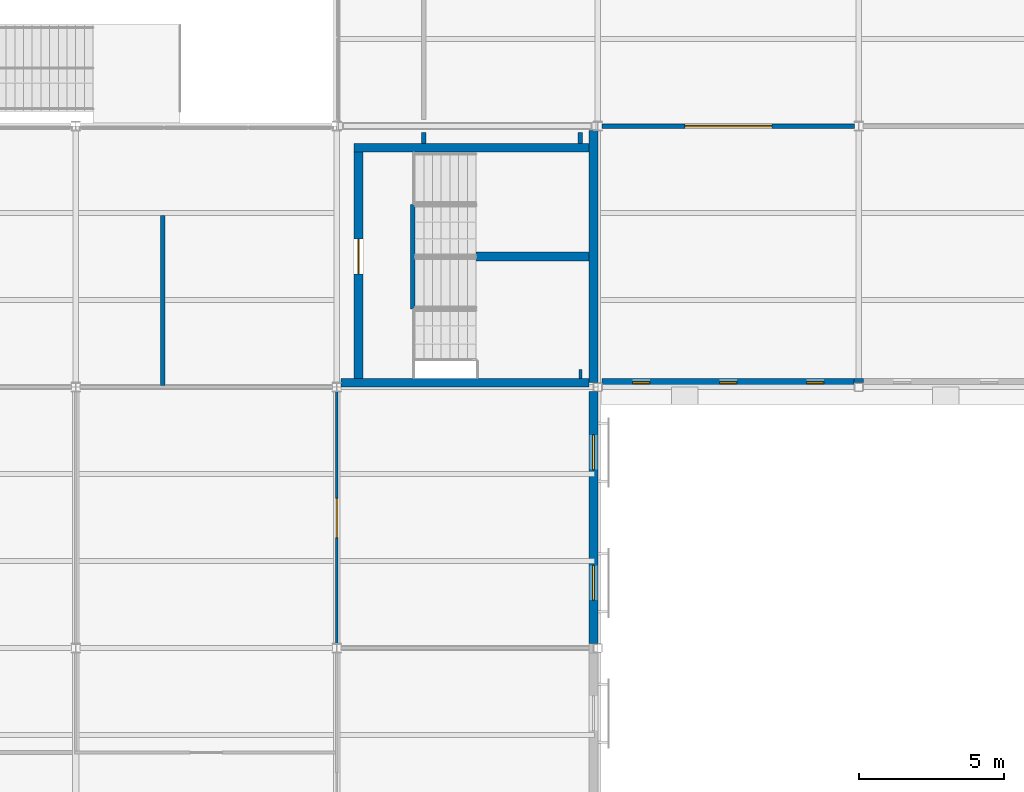
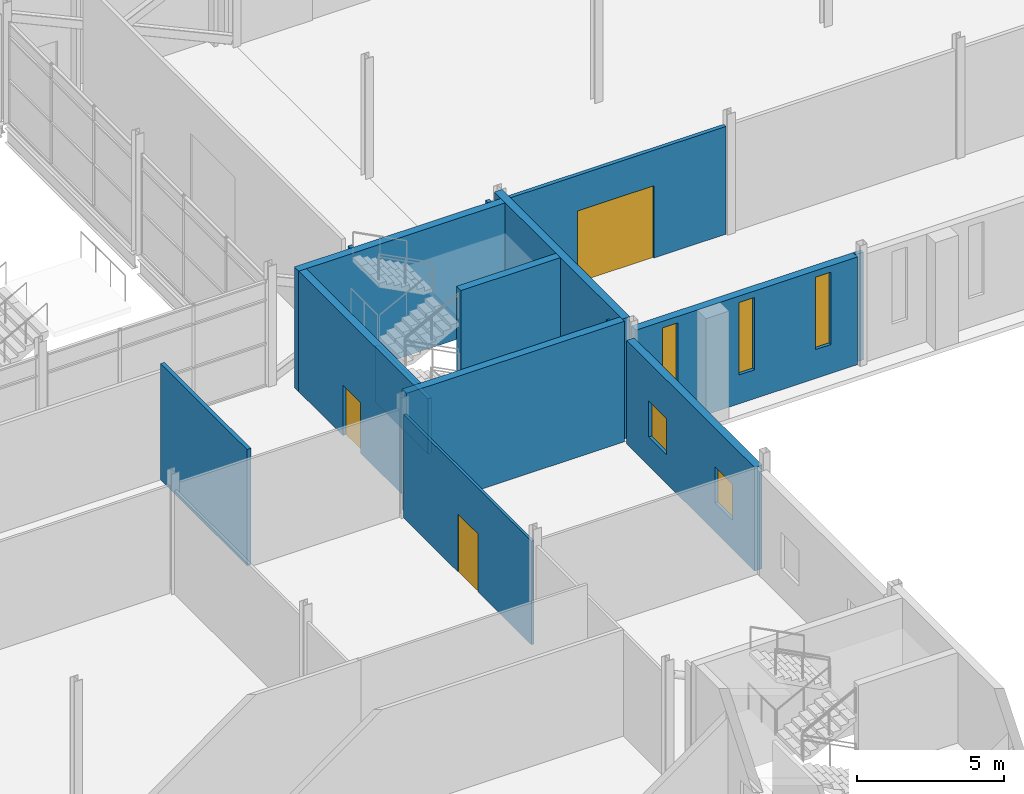
# One storey, part 81 of 112: 15 walls, 5 windows, 3 doors, 8 openings.
"""IFC4 building model written with IfcOpenShell, lengths in metres."""

from ifc_helpers import new_model, si_unit, direction, frame, frame_2d, origin, place, context, subcontext, project, spatial, rectangle, extrude, material, layer, layer_set, type_object, element, fill, save


model = new_model("IFC4")

# Units and contexts
model_context = context("Model", 3, precision=1e-05, world=origin(), true_north=direction((0.0, 1.0)))
body_context = subcontext(model_context, "Body", "Model", "MODEL_VIEW")
ifc_project = project(units=[si_unit("LENGTHUNIT", "METRE"), si_unit("AREAUNIT", "SQUARE_METRE"), si_unit("VOLUMEUNIT", "CUBIC_METRE"), si_unit("PLANEANGLEUNIT", "RADIAN"), si_unit("MASSUNIT", "GRAM", prefix="KILO")], contexts=[model_context])

# Site, building, storey
site_placement = place(None, origin())
site = spatial("IfcSite", under=ifc_project, at=site_placement, CompositionType="ELEMENT")
building_placement = place(site_placement, origin())
building = spatial("IfcBuilding", under=site, at=building_placement, Name="Shorebreak Coast Museum", CompositionType="ELEMENT")
storey_placement = place(building_placement, frame((0.0, 0.0, 6.0)))
storey = spatial("IfcBuildingStorey", under=building, at=storey_placement, Name="L01", CompositionType="ELEMENT", Elevation=6.0)

# Wall
ifc_material_1 = material(Name="Concrete N50 (50 MPa)", Category="concrete")
ifc_layer_1 = layer(ifc_material_1, 0.14990234375)
ifc_layer_set_1 = layer_set([ifc_layer_1], Name="Concrete N50 (50 MPa)")
wall_type_1 = type_object("IfcWallType", Name="Column closure panel 150", PredefinedType="SOLIDWALL", material=ifc_layer_set_1)
wall_1_placement = place(storey_placement, frame((125.839111328125, 54.22509765625, 0.0), z_axis=(0.0, 0.0, 1.0), x_axis=(1.0, 0.0, 0.0)))
element("IfcWall", 1, at=wall_1_placement, inside=storey, type_object=wall_type_1, Name="Column closure panel L01 S 15G", PredefinedType="SOLIDWALL", context=body_context, shape_type="SweptSolid", body=[
    extrude(rectangle(XDim=0.32177734375, YDim=0.14990234375, at=frame_2d((0.160888671875, 0.0))), origin(), (0.0, 0.0, 1.0), 4.469482421875),
])

# Wall, opening, door
ifc_material_2 = material(Name="Plasterboard on steel stud", Category="steel")
ifc_layer_2 = layer(ifc_material_2, 0.14990234375)
ifc_layer_set_2 = layer_set([ifc_layer_2], Name="Plasterboard on steel stud")
wall_type_2 = type_object("IfcWallType", Name="Fire partition 150", PredefinedType="PARTITIONING", material=ifc_layer_set_2)
wall_2_placement = place(storey_placement, frame((117.154541015625, 63.0, 0.0), z_axis=(0.0, 0.0, 1.0), x_axis=(1.0, 0.0, 0.0)))
wall_2 = element("IfcWall", 2, at=wall_2_placement, inside=storey, type_object=wall_type_2, Name="Partition L01-044", PredefinedType="PARTITIONING", context=body_context, shape_type="SweptSolid", body=[
    extrude(rectangle(XDim=8.69091796875, YDim=0.14990234375, at=frame_2d((4.345458984375, 0.0))), origin(), (0.0, 0.0, 1.0), 4.469482421875),
])
opening_1_placement = place(wall_2_placement, frame((2.85009765625, 0.0, 0.0)))
opening_1 = element("IfcOpeningElement", 3, at=opening_1_placement, cuts=wall_2, Name="Opening D1061", PredefinedType="OPENING", context=body_context, shape_type="SweptSolid", body=[
    extrude(rectangle(XDim=3.0, YDim=3.0, at=frame_2d((1.5, 1.5))), frame((0.0, 0.0849609375, 0.0), z_axis=(0.0, -1.0, 0.0), x_axis=(1.0, 0.0, 0.0)), (0.0, 0.0, 1.0), 0.169921875),
])
ifc_material_3 = material(Name="Steel", Category="steel")
door_type_1 = type_object("IfcDoorType", Name="Fire door 3000x3000 60", OperationType="DOUBLE_DOOR_SINGLE_SWING", PredefinedType="DOOR", material=ifc_material_3)
door_1_placement = place(opening_1_placement, origin())
door_1 = element("IfcDoor", 4, at=door_1_placement, inside=storey, type_object=door_type_1, Name="Door D1061 Temporary Gallery 1.02", OperationType="DOUBLE_DOOR_SINGLE_SWING", OverallHeight=3.0, OverallWidth=3.0, PredefinedType="DOOR", context=body_context, shape_type="SweptSolid", body=[
    extrude(rectangle(XDim=3.0, YDim=3.0, at=frame_2d((1.5, 1.5))), frame((0.0, 0.02490234375, 0.0), z_axis=(0.0, -1.0, 0.0), x_axis=(1.0, 0.0, 0.0)), (0.0, 0.0, 1.0), 0.050048828125),
])
fill(opening_1, door_1)

# Walls
wall_3_placement = place(storey_placement, frame((102.0, 54.050048828125, 0.0), z_axis=(0.0, 0.0, 1.0), x_axis=(0.0, 1.0, 0.0)))
element("IfcWall", 5, at=wall_3_placement, inside=storey, type_object=wall_type_2, Name="Partition L01-149", PredefinedType="PARTITIONING", context=body_context, shape_type="SweptSolid", body=[
    extrude(rectangle(XDim=5.875, YDim=0.14990234375, at=frame_2d((2.9375, 0.0))), origin(), (0.0, 0.0, 1.0), 4.824951171875),
])
for number, where, z_axis, x_axis, name in (
    (6, (111.0, 62.39990234375, 0.0), (0.0, 0.0, 1.0), (0.0, 1.0, 0.0), "Partition L01-161"),
    (7, (116.39990234375, 62.39990234375, 0.0), (0.0, 0.0, 1.0), (0.0, 1.0, 0.0), "Partition L01-171"),
):
    element("IfcWall", number, at=place(storey_placement, frame(where, z_axis=z_axis, x_axis=x_axis)), inside=storey, type_object=wall_type_2, Name=name, PredefinedType="PARTITIONING", context=body_context, shape_type="SweptSolid", body=[
        extrude(rectangle(XDim=0.380126953125, YDim=0.14990234375, at=frame_2d((0.18994140625, 0.0))), origin(), (0.0, 0.0, 1.0), 4.824951171875),
    ])

# Wall, opening, door
ifc_material_4 = material(Name="Plasterboard on steel stud", Category="steel")
ifc_layer_3 = layer(ifc_material_4, 0.10009765625)
ifc_layer_set_3 = layer_set([ifc_layer_3], Name="Plasterboard on steel stud")
wall_type_3 = type_object("IfcWallType", Name="Partition 100", PredefinedType="PARTITIONING", material=ifc_layer_set_3)
wall_4_placement = place(storey_placement, frame((108.0, 45.160400390625, 0.0), z_axis=(0.0, 0.0, 1.0), x_axis=(0.0, 1.0, 0.0)))
wall_4 = element("IfcWall", 8, at=wall_4_placement, inside=storey, type_object=wall_type_3, Name="Partition L01-155", PredefinedType="PARTITIONING", context=body_context, shape_type="SweptSolid", body=[
    extrude(rectangle(XDim=8.67919921875, YDim=0.10009765625, at=frame_2d((4.339599609375, 0.0))), origin(), (0.0, 0.0, 1.0), 4.296875),
])
opening_2_placement = place(wall_4_placement, frame((3.64990234375, 0.0, 0.0)))
opening_2 = element("IfcOpeningElement", 9, at=opening_2_placement, cuts=wall_4, Name="Opening D1042", PredefinedType="OPENING", context=body_context, shape_type="SweptSolid", body=[
    extrude(rectangle(XDim=1.35009765625, YDim=2.39990234375, at=frame_2d((0.675048828125, 1.199951171875))), frame((0.0, 0.06005859375, 0.0), z_axis=(0.0, -1.0, 0.0), x_axis=(1.0, 0.0, 0.0)), (0.0, 0.0, 1.0), 0.1201171875),
])
ifc_material_5 = material(Name="Timber", Category="wood")
door_type_2 = type_object("IfcDoorType", Name="Interior door 1350x2400", OperationType="SINGLE_SWING_LEFT", PredefinedType="DOOR", material=ifc_material_5)
door_2_placement = place(opening_2_placement, origin())
door_2 = element("IfcDoor", 10, at=door_2_placement, inside=storey, type_object=door_type_2, Name="Door D1042 Collection Store 1.05", OperationType="SINGLE_SWING_LEFT", OverallHeight=2.39990234375, OverallWidth=1.35009765625, PredefinedType="DOOR", context=body_context, shape_type="SweptSolid", body=[
    extrude(rectangle(XDim=1.35009765625, YDim=2.39990234375, at=frame_2d((0.675048828125, 1.199951171875))), frame((0.0, 0.02490234375, 0.0), z_axis=(0.0, -1.0, 0.0), x_axis=(1.0, 0.0, 0.0)), (0.0, 0.0, 1.0), 0.050048828125),
])
fill(opening_2, door_2)

# Wall
wall_5_placement = place(storey_placement, frame((116.39990234375, 54.300048828125, 0.0), z_axis=(0.0, 0.0, 1.0), x_axis=(0.0, 1.0, 0.0)))
element("IfcWall", 11, at=wall_5_placement, inside=storey, type_object=wall_type_3, Name="Partition L01-170", PredefinedType="PARTITIONING", context=body_context, shape_type="SweptSolid", body=[
    extrude(rectangle(XDim=0.300048828125, YDim=0.10009765625, at=frame_2d((0.14990234375, 0.0))), origin(), (0.0, 0.0, 1.0), 4.824951171875),
])

# Wall, openings, windows
ifc_material_6 = material(Name="Concrete N50 (50 MPa)", Category="concrete")
ifc_layer_4 = layer(ifc_material_6, 0.300048828125)
ifc_layer_set_4 = layer_set([ifc_layer_4], Name="Concrete N50 (50 MPa)")
wall_type_4 = type_object("IfcWallType", Name="Precast board-marked panel 300", PredefinedType="SOLIDWALL", material=ifc_layer_set_4)
wall_6_placement = place(storey_placement, frame((117.14990234375, 54.14990234375, 0.0), z_axis=(0.0, 0.0, 1.0), x_axis=(1.0, 0.0, 0.0)))
wall_6 = element("IfcWall", 12, at=wall_6_placement, inside=storey, type_object=wall_type_4, Name="External wall L01 S 14G", PredefinedType="SOLIDWALL", context=body_context, shape_type="SweptSolid", body=[
    extrude(rectangle(XDim=8.689208984375, YDim=0.300048828125, at=frame_2d((4.3447265625, 0.0))), origin(), (0.0, 0.0, 1.0), 4.469482421875),
])
opening_3_placement = place(wall_6_placement, frame((1.050048828125, 0.0, 1.199951171875)))
opening_3 = element("IfcOpeningElement", 13, at=opening_3_placement, cuts=wall_6, Name="Opening WN1033", PredefinedType="OPENING", context=body_context, shape_type="SweptSolid", body=[
    extrude(rectangle(XDim=0.60009765625, YDim=3.0, at=frame_2d((0.300048828125, 1.5))), frame((0.0, 0.159912109375, 0.0), z_axis=(0.0, -1.0, 0.0), x_axis=(1.0, 0.0, 0.0)), (0.0, 0.0, 1.0), 0.320068359375),
])
opening_4_placement = place(wall_6_placement, frame((4.050048828125, 0.0, 1.199951171875)))
opening_4 = element("IfcOpeningElement", 14, at=opening_4_placement, cuts=wall_6, Name="Opening WN1034", PredefinedType="OPENING", context=body_context, shape_type="SweptSolid", body=[
    extrude(rectangle(XDim=0.60009765625, YDim=3.0, at=frame_2d((0.300048828125, 1.5))), frame((0.0, 0.159912109375, 0.0), z_axis=(0.0, -1.0, 0.0), x_axis=(1.0, 0.0, 0.0)), (0.0, 0.0, 1.0), 0.320068359375),
])
opening_5_placement = place(wall_6_placement, frame((7.050048828125, 0.0, 1.199951171875)))
opening_5 = element("IfcOpeningElement", 15, at=opening_5_placement, cuts=wall_6, Name="Opening WN1035", PredefinedType="OPENING", context=body_context, shape_type="SweptSolid", body=[
    extrude(rectangle(XDim=0.60009765625, YDim=3.0, at=frame_2d((0.300048828125, 1.5))), frame((0.0, 0.159912109375, 0.0), z_axis=(0.0, -1.0, 0.0), x_axis=(1.0, 0.0, 0.0)), (0.0, 0.0, 1.0), 0.320068359375),
])
ifc_material_7 = material(Name="Aluminium", Category="aluminium")
window_type_1 = type_object("IfcWindowType", Name="Hall slot window 600 x 3000", PartitioningType="SINGLE_PANEL", PredefinedType="WINDOW", material=ifc_material_7)
window_1_placement = place(opening_3_placement, origin())
window_1 = element("IfcWindow", 16, at=window_1_placement, inside=storey, type_object=window_type_1, Name="Window WN1033", OverallHeight=3.0, OverallWidth=0.60009765625, PartitioningType="SINGLE_PANEL", PredefinedType="WINDOW", context=body_context, shape_type="SweptSolid", body=[
    extrude(rectangle(XDim=0.60009765625, YDim=3.0, at=frame_2d((0.300048828125, 1.5))), frame((0.0, 0.030029296875, 0.0), z_axis=(0.0, -1.0, 0.0), x_axis=(1.0, 0.0, 0.0)), (0.0, 0.0, 1.0), 0.06005859375),
])
fill(opening_3, window_1)
window_2_placement = place(opening_4_placement, origin())
window_2 = element("IfcWindow", 17, at=window_2_placement, inside=storey, type_object=window_type_1, Name="Window WN1034", OverallHeight=3.0, OverallWidth=0.60009765625, PartitioningType="SINGLE_PANEL", PredefinedType="WINDOW", context=body_context, shape_type="SweptSolid", body=[
    extrude(rectangle(XDim=0.60009765625, YDim=3.0, at=frame_2d((0.300048828125, 1.5))), frame((0.0, 0.030029296875, 0.0), z_axis=(0.0, -1.0, 0.0), x_axis=(1.0, 0.0, 0.0)), (0.0, 0.0, 1.0), 0.06005859375),
])
fill(opening_4, window_2)
window_3_placement = place(opening_5_placement, origin())
window_3 = element("IfcWindow", 18, at=window_3_placement, inside=storey, type_object=window_type_1, Name="Window WN1035", OverallHeight=3.0, OverallWidth=0.60009765625, PartitioningType="SINGLE_PANEL", PredefinedType="WINDOW", context=body_context, shape_type="SweptSolid", body=[
    extrude(rectangle(XDim=0.60009765625, YDim=3.0, at=frame_2d((0.300048828125, 1.5))), frame((0.0, 0.030029296875, 0.0), z_axis=(0.0, -1.0, 0.0), x_axis=(1.0, 0.0, 0.0)), (0.0, 0.0, 1.0), 0.06005859375),
])
fill(opening_5, window_3)

# Walls
ifc_material_8 = material(Name="Concrete N50 (50 MPa)", Category="concrete")
ifc_layer_5 = layer(ifc_material_8, 0.300048828125)
ifc_layer_set_5 = layer_set([ifc_layer_5], Name="Concrete N50 (50 MPa)")
wall_type_5 = type_object("IfcWallType", Name="RC wall 300", PredefinedType="SHEAR", material=ifc_layer_set_5)
wall_7_placement = place(storey_placement, frame((108.154541015625, 54.14990234375, 0.0), z_axis=(0.0, 0.0, 1.0), x_axis=(1.0, 0.0, 0.0)))
element("IfcWall", 19, at=wall_7_placement, inside=storey, type_object=wall_type_5, Name="Stair core wall ST02 L01 S", PredefinedType="SHEAR", context=body_context, shape_type="SweptSolid", body=[
    extrude(rectangle(XDim=8.54541015625, YDim=0.300048828125, at=frame_2d((4.272705078125, 0.0))), origin(), (0.0, 0.0, 1.0), 5.0),
])
wall_8_placement = place(storey_placement, frame((108.60009765625, 62.25, 0.0), z_axis=(0.0, 0.0, 1.0), x_axis=(1.0, 0.0, 0.0)))
element("IfcWall", 20, at=wall_8_placement, inside=storey, type_object=wall_type_5, Name="Stair core wall ST02 L01 N", PredefinedType="SHEAR", context=body_context, shape_type="SweptSolid", body=[
    extrude(rectangle(XDim=8.099853515625, YDim=0.300048828125, at=frame_2d((4.0498046875, 0.0))), origin(), (0.0, 0.0, 1.0), 5.0),
])

# Wall, opening, door
wall_9_placement = place(storey_placement, frame((108.75, 54.300048828125, 0.0), z_axis=(0.0, 0.0, 1.0), x_axis=(0.0, 1.0, 0.0)))
wall_9 = element("IfcWall", 21, at=wall_9_placement, inside=storey, type_object=wall_type_5, Name="Stair core wall ST02 L01 W", PredefinedType="SHEAR", context=body_context, shape_type="SweptSolid", body=[
    extrude(rectangle(XDim=7.800048828125, YDim=0.300048828125, at=frame_2d((3.89990234375, 0.0))), origin(), (0.0, 0.0, 1.0), 5.0),
])
opening_6_placement = place(wall_9_placement, frame((3.60009765625, 0.0, 0.0)))
opening_6 = element("IfcOpeningElement", 22, at=opening_6_placement, cuts=wall_9, Name="Opening D1802", PredefinedType="OPENING", context=body_context, shape_type="SweptSolid", body=[
    extrude(rectangle(XDim=1.199951171875, YDim=2.10009765625, at=frame_2d((0.60009765625, 1.050048828125))), frame((0.0, 0.159912109375, 0.0), z_axis=(0.0, -1.0, 0.0), x_axis=(1.0, 0.0, 0.0)), (0.0, 0.0, 1.0), 0.320068359375),
])
ifc_material_9 = material(Name="Steel Grade 300", Category="steel")
door_type_3 = type_object("IfcDoorType", Name="Fire door 1200x2100", OperationType="SINGLE_SWING_LEFT", PredefinedType="DOOR", material=ifc_material_9)
door_3_placement = place(opening_6_placement, origin())
door_3 = element("IfcDoor", 23, at=door_3_placement, inside=storey, type_object=door_type_3, Name="Stair door ST02 L01", OperationType="SINGLE_SWING_RIGHT", OverallHeight=2.10009765625, OverallWidth=1.199951171875, PredefinedType="DOOR", context=body_context, shape_type="SweptSolid", body=[
    extrude(rectangle(XDim=1.199951171875, YDim=2.10009765625, at=frame_2d((0.60009765625, 1.050048828125))), frame((0.0, 0.02490234375, 0.0), z_axis=(0.0, -1.0, 0.0), x_axis=(1.0, 0.0, 0.0)), (0.0, 0.0, 1.0), 0.050048828125),
])
fill(opening_6, door_3)

# Walls
wall_10_placement = place(storey_placement, frame((116.85009765625, 54.14990234375, 0.0), z_axis=(0.0, 0.0, 1.0), x_axis=(0.0, 1.0, 0.0)))
element("IfcWall", 24, at=wall_10_placement, inside=storey, type_object=wall_type_5, Name="Stair core wall ST02 L01 E", PredefinedType="SHEAR", context=body_context, shape_type="SweptSolid", body=[
    extrude(rectangle(XDim=8.689697265625, YDim=0.300048828125, at=frame_2d((4.3447265625, 0.0))), origin(), (0.0, 0.0, 1.0), 5.0),
])
wall_11_placement = place(storey_placement, frame((112.800048828125, 58.5, 0.0), z_axis=(0.0, 0.0, 1.0), x_axis=(1.0, 0.0, 0.0)))
element("IfcWall", 25, at=wall_11_placement, inside=storey, type_object=wall_type_5, Name="Stair spine wall ST02 L01", PredefinedType="SHEAR", context=body_context, shape_type="SweptSolid", body=[
    extrude(rectangle(XDim=3.89990234375, YDim=0.300048828125, at=frame_2d((1.949951171875, 0.0))), origin(), (0.0, 0.0, 1.0), 5.0),
])

# Wall, openings, windows
ifc_material_10 = material(Name="Concrete N50 (50 MPa)", Category="concrete")
ifc_layer_6 = layer(ifc_material_10, 0.300048828125)
ifc_layer_set_6 = layer_set([ifc_layer_6], Name="Concrete N50 (50 MPa)")
wall_type_6 = type_object("IfcWallType", Name="Sand-coloured precast panel 300", PredefinedType="SOLIDWALL", material=ifc_layer_set_6)
wall_12_placement = place(storey_placement, frame((116.85009765625, 45.160888671875, 0.0), z_axis=(0.0, 0.0, 1.0), x_axis=(0.0, 1.0, 0.0)))
wall_12 = element("IfcWall", 26, at=wall_12_placement, inside=storey, type_object=wall_type_6, Name="External wall L01 E 14F", PredefinedType="SOLIDWALL", context=body_context, shape_type="SweptSolid", body=[
    extrude(rectangle(XDim=8.689208984375, YDim=0.300048828125, at=frame_2d((4.3447265625, 0.0))), origin(), (0.0, 0.0, 1.0), 4.296875),
])
opening_7_placement = place(wall_12_placement, frame((1.489013671875, 0.0, 1.199951171875)))
opening_7 = element("IfcOpeningElement", 27, at=opening_7_placement, cuts=wall_12, Name="Opening WN1006", PredefinedType="OPENING", context=body_context, shape_type="SweptSolid", body=[
    extrude(rectangle(XDim=1.199951171875, YDim=1.5, at=frame_2d((0.60009765625, 0.75))), frame((0.0, 0.159912109375, 0.0), z_axis=(0.0, -1.0, 0.0), x_axis=(1.0, 0.0, 0.0)), (0.0, 0.0, 1.0), 0.320068359375),
])
opening_8_placement = place(wall_12_placement, frame((5.989013671875, 0.0, 1.199951171875)))
opening_8 = element("IfcOpeningElement", 28, at=opening_8_placement, cuts=wall_12, Name="Opening WN1007", PredefinedType="OPENING", context=body_context, shape_type="SweptSolid", body=[
    extrude(rectangle(XDim=1.199951171875, YDim=1.5, at=frame_2d((0.60009765625, 0.75))), frame((0.0, 0.159912109375, 0.0), z_axis=(0.0, -1.0, 0.0), x_axis=(1.0, 0.0, 0.0)), (0.0, 0.0, 1.0), 0.320068359375),
])
ifc_material_11 = material(Name="Aluminium", Category="aluminium")
window_type_2 = type_object("IfcWindowType", Name="Punched window 1200 x 1500", PartitioningType="SINGLE_PANEL", PredefinedType="WINDOW", material=ifc_material_11)
window_4_placement = place(opening_7_placement, origin())
window_4 = element("IfcWindow", 29, at=window_4_placement, inside=storey, type_object=window_type_2, Name="Window WN1006", OverallHeight=1.5, OverallWidth=1.199951171875, PartitioningType="SINGLE_PANEL", PredefinedType="WINDOW", context=body_context, shape_type="SweptSolid", body=[
    extrude(rectangle(XDim=1.199951171875, YDim=1.5, at=frame_2d((0.60009765625, 0.75))), frame((0.0, 0.030029296875, 0.0), z_axis=(0.0, -1.0, 0.0), x_axis=(1.0, 0.0, 0.0)), (0.0, 0.0, 1.0), 0.06005859375),
])
fill(opening_7, window_4)
window_5_placement = place(opening_8_placement, origin())
window_5 = element("IfcWindow", 30, at=window_5_placement, inside=storey, type_object=window_type_2, Name="Window WN1007", OverallHeight=1.5, OverallWidth=1.199951171875, PartitioningType="SINGLE_PANEL", PredefinedType="WINDOW", context=body_context, shape_type="SweptSolid", body=[
    extrude(rectangle(XDim=1.199951171875, YDim=1.5, at=frame_2d((0.60009765625, 0.75))), frame((0.0, 0.030029296875, 0.0), z_axis=(0.0, -1.0, 0.0), x_axis=(1.0, 0.0, 0.0)), (0.0, 0.0, 1.0), 0.06005859375),
])
fill(opening_8, window_5)

# Wall
ifc_material_12 = material(Name="Concrete N50 (50 MPa)", Category="concrete")
ifc_layer_7 = layer(ifc_material_12, 0.14990234375)
ifc_layer_set_7 = layer_set([ifc_layer_7], Name="Concrete N50 (50 MPa)")
wall_type_7 = type_object("IfcWallType", Name="Understair wall 150", PredefinedType="STANDARD", material=ifc_layer_set_7)
wall_13_placement = place(storey_placement, frame((110.625, 56.699951171875, 0.0), z_axis=(0.0, 0.0, 1.0), x_axis=(0.0, 1.0, 0.0)))
element("IfcWall", 31, at=wall_13_placement, inside=storey, type_object=wall_type_7, Name="Understair wall ST02 L01 floor", PredefinedType="STANDARD", context=body_context, shape_type="SweptSolid", body=[
    extrude(rectangle(XDim=3.60009765625, YDim=0.14990234375, at=frame_2d((1.800048828125, 0.0))), origin(), (0.0, 0.0, 1.0), 2.300048828125),
])

save(model, "model.ifc")
